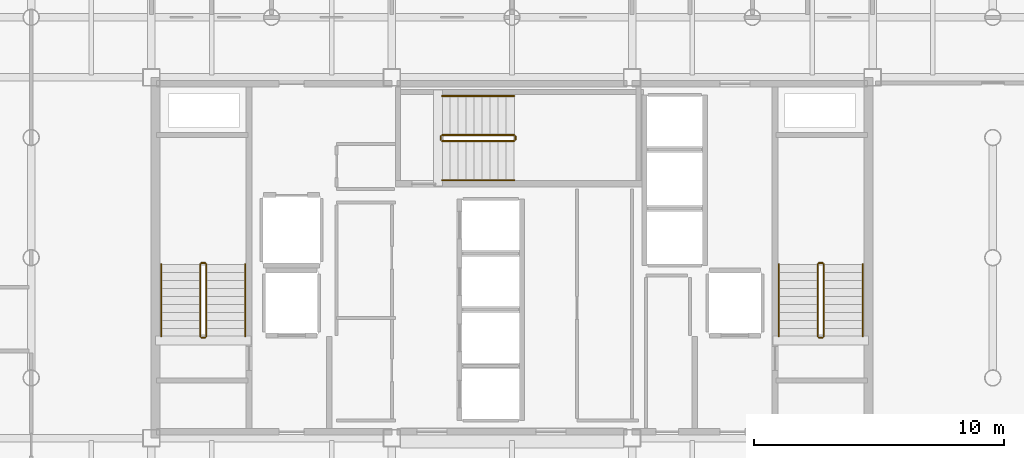
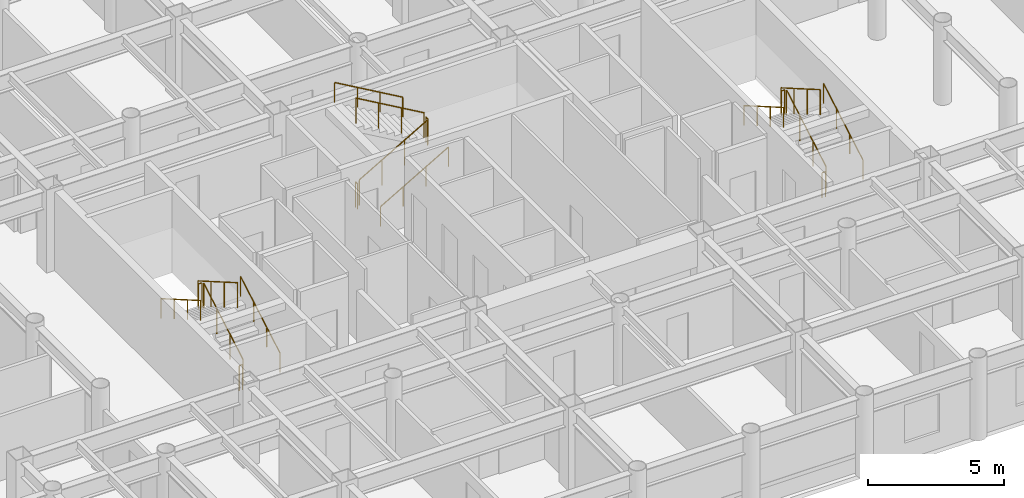
# One storey, part 20 of 20: 18 railings.
"""IFC4 building model written with IfcOpenShell, lengths in metres."""

import ifcopenshell
import ifcopenshell.guid

model = None  # the IFC model being written
_history = None  # IfcOwnerHistory: only IFC2X3 demands one
_inside = {}  # id of a spatial element -> (the spatial element, [elements in it])
_under = {}  # id of a project, library or spatial element -> (it, [spatial elements below it])
_declared = {}  # id of a project -> (the project, [libraries it declares])
_typed = {}  # id of a type object -> (the type object, [elements of that type])
_made_of = {}  # id of a material, layer set ... -> (it, [elements and type objects made of it])


def new_model(schema):
    """Start an empty IFC model of exactly this schema.

    Asked for "IFC4X3", IfcOpenShell would pick the latest addendum, in which some entities
    have other attributes; the version numbers below select the first issue.
    IFC2X3 requires an IfcOwnerHistory on every rooted entity: one is made here for all.
    """
    global model, _history
    if schema == "IFC4X3":
        model = ifcopenshell.file(schema_version=(4, 3, 0, 0))
    else:
        model = ifcopenshell.file(schema=schema)
    _inside.clear()
    _under.clear()
    _declared.clear()
    _typed.clear()
    _made_of.clear()
    _history = None
    if model.schema == "IFC2X3":
        org = make("IfcOrganization", Name="unknown")
        user = make(
            "IfcPersonAndOrganization",
            ThePerson=make("IfcPerson", FamilyName="unknown"),
            TheOrganization=org,
        )
        app = make(
            "IfcApplication",
            ApplicationDeveloper=org,
            Version="unknown",
            ApplicationFullName="unknown",
            ApplicationIdentifier="unknown",
        )
        _history = make(
            "IfcOwnerHistory",
            OwningUser=user,
            OwningApplication=app,
            ChangeAction="ADDED",
            CreationDate=0,
        )
    return model


def make(cls, **values):
    """One entity of the class cls with the attributes given. An attribute that is None is left unset."""
    return model.create_entity(
        cls, **{name: value for name, value in values.items() if value is not None}
    )


def rooted(cls, **values):
    """An entity with a GlobalId (a new one), such as an element, a storey or a relation."""
    return make(cls, GlobalId=ifcopenshell.guid.new(), OwnerHistory=_history, **values)


def si_unit(unit_type, name, prefix=None):
    """IfcSIUnit, for example si_unit("LENGTHUNIT", "METRE", prefix="MILLI")."""
    return make("IfcSIUnit", UnitType=unit_type, Prefix=prefix, Name=name)


def assignment(units):
    """IfcUnitAssignment: the units of a project."""
    return None if units is None else make("IfcUnitAssignment", Units=units)


def point(xyz):
    """IfcCartesianPoint."""
    return None if xyz is None else make("IfcCartesianPoint", Coordinates=xyz)


def direction(xyz):
    """IfcDirection."""
    return None if xyz is None else make("IfcDirection", DirectionRatios=xyz)


def frame(location, z_axis=None, x_axis=None):
    """IfcAxis2Placement3D, a coordinate frame: its origin and axes. An axis left out is left unset."""
    return make(
        "IfcAxis2Placement3D",
        Location=point(location),
        Axis=direction(z_axis),
        RefDirection=direction(x_axis),
    )


def frame_2d(location, x_axis=None):
    """IfcAxis2Placement2D, a coordinate frame in the plane: its origin and x axis."""
    return make(
        "IfcAxis2Placement2D", Location=point(location), RefDirection=direction(x_axis)
    )


def origin():
    """The frame at (0, 0, 0) with its axes left unset."""
    return frame((0.0, 0.0, 0.0))


def origin_2d():
    """The frame at (0, 0) in the plane with its x axis left unset."""
    return frame_2d((0.0, 0.0))


def place(relative_to, where):
    """IfcLocalPlacement: puts the frame where relative to a parent placement (None: the world)."""
    return make(
        "IfcLocalPlacement", PlacementRelTo=relative_to, RelativePlacement=where
    )


def context(
    kind, dimensions, precision=None, world=None, true_north=None, identifier=None
):
    """IfcGeometricRepresentationContext, for example the 3D "Model" context."""
    return make(
        "IfcGeometricRepresentationContext",
        ContextIdentifier=identifier,
        ContextType=kind,
        CoordinateSpaceDimension=dimensions,
        Precision=precision,
        WorldCoordinateSystem=world,
        TrueNorth=true_north,
    )


def subcontext(parent, identifier, kind, view, scale=None):
    """IfcGeometricRepresentationSubContext, for example "Body" below "Model"."""
    return make(
        "IfcGeometricRepresentationSubContext",
        ContextIdentifier=identifier,
        ContextType=kind,
        ParentContext=parent,
        TargetScale=scale,
        TargetView=view,
    )


def project(units=None, contexts=None):
    """IfcProject with its units and contexts."""
    return rooted(
        "IfcProject",
        Name="project",
        RepresentationContexts=contexts,
        UnitsInContext=assignment(units),
    )


def spatial(cls, under=None, at=None, **own):
    """A site, building, storey or space (cls), placed at a placement, below another one or the project."""
    s = rooted(cls, ObjectPlacement=at, **own)
    if under is not None:
        _under.setdefault(under.id(), (under, []))[1].append(s)
    return s


def profile(cls, at=None, kind="AREA", **sizes):
    """A parametric profile (cls). Its sizes go by their IFC names, for example OverallWidth=200.0."""
    return make(cls, ProfileType=kind, Position=at, **sizes)


def circle(**sizes):
    """IfcCircleProfileDef."""
    return profile("IfcCircleProfileDef", **sizes)


def extrude(swept, where, along, depth):
    """IfcExtrudedAreaSolid: the profile swept, set in the frame where, extruded along a direction by depth."""
    return make(
        "IfcExtrudedAreaSolid",
        SweptArea=swept,
        Position=where,
        ExtrudedDirection=direction(along),
        Depth=depth,
    )


def shape(context_of_items, identifier, shape_type, items):
    """IfcShapeRepresentation: the items that make up one representation, for example the "Body"."""
    return make(
        "IfcShapeRepresentation",
        ContextOfItems=context_of_items,
        RepresentationIdentifier=identifier,
        RepresentationType=shape_type,
        Items=items,
    )


def material(Name=None, Category=None):
    """IfcMaterial."""
    return make("IfcMaterial", Name=Name, Category=Category)


def layer(
    of_material, thickness, ventilated=None, Name=None, Category=None, Priority=None
):
    """IfcMaterialLayer: one layer of a wall or slab, of a material (None: an air gap)."""
    return make(
        "IfcMaterialLayer",
        Material=of_material,
        LayerThickness=thickness,
        IsVentilated=ventilated,
        Name=Name,
        Category=Category,
        Priority=Priority,
    )


def layer_set(layers, Name=None):
    """IfcMaterialLayerSet."""
    return make("IfcMaterialLayerSet", MaterialLayers=layers, LayerSetName=Name)


def made_of(thing, what):
    """Note that an element or type object is made of a material, layer set ...; save() writes the relation."""
    if what is not None:
        _made_of.setdefault(what.id(), (what, []))[1].append(thing)
    return thing


def type_object(cls, material=None, **own):
    """A type object (cls), such as IfcWallType, which elements share."""
    return made_of(rooted(cls, **own), material)


def element(
    cls,
    number,
    at=None,
    inside=None,
    cuts=None,
    type_object=None,
    material=None,
    context=None,
    identifier="Body",
    shape_type=None,
    held_by="IfcProductDefinitionShape",
    body=None,
    shapes=None,
    **own,
):
    """One element of the class cls, such as IfcWall. Its Tag is "e" and its number.

    at: its placement. inside: the storey or other place that contains it. cuts: it is an
    opening in that element (IfcRelVoidsElement). A single representation is given by context,
    identifier, shape_type and body (its items); several are given by shapes. held_by: the class
    of the entity that holds the representations. save() writes the other relations.
    """
    e = rooted(cls, Tag="e%d" % number, ObjectPlacement=at, **own)
    if body is not None:
        shapes = [shape(context, identifier, shape_type, body)]
    if shapes is not None:
        e.Representation = make(held_by, Representations=shapes)
    if inside is not None:
        _inside.setdefault(inside.id(), (inside, []))[1].append(e)
    if cuts is not None:
        rooted(
            "IfcRelVoidsElement", RelatingBuildingElement=cuts, RelatedOpeningElement=e
        )
    if type_object is not None:
        _typed.setdefault(type_object.id(), (type_object, []))[1].append(e)
    return made_of(e, material)


def aggregate(whole, parts):
    """IfcRelAggregates: a whole, such as a stair, and the parts it consists of."""
    return rooted("IfcRelAggregates", RelatingObject=whole, RelatedObjects=parts)


def save(model, path):
    """Write the relations noted so far, then the file.

    IfcRelAggregates (storeys below a building ...), IfcRelContainedInSpatialStructure (elements
    in a storey), IfcRelDefinesByType, IfcRelAssociatesMaterial and IfcRelDeclares: one each for
    every whole, place, type object, material and project.
    """
    for whole, parts in _under.values():
        aggregate(whole, parts)
    for where, things in _inside.values():
        rooted(
            "IfcRelContainedInSpatialStructure",
            RelatedElements=things,
            RelatingStructure=where,
        )
    for kind, things in _typed.values():
        rooted("IfcRelDefinesByType", RelatedObjects=things, RelatingType=kind)
    for what, things in _made_of.values():
        rooted("IfcRelAssociatesMaterial", RelatedObjects=things, RelatingMaterial=what)
    for by, libraries in _declared.values():
        rooted("IfcRelDeclares", RelatingContext=by, RelatedDefinitions=libraries)
    model.write(path)


model = new_model("IFC4")

# Units and contexts
model_context = context("Model", 3, precision=1e-05, world=origin(), true_north=direction((0.0, 1.0)))
body_context = subcontext(model_context, "Body", "Model", "MODEL_VIEW")
ifc_project = project(units=[si_unit("LENGTHUNIT", "METRE"), si_unit("AREAUNIT", "SQUARE_METRE"), si_unit("VOLUMEUNIT", "CUBIC_METRE"), si_unit("PLANEANGLEUNIT", "RADIAN"), si_unit("MASSUNIT", "GRAM", prefix="KILO")], contexts=[model_context])

# Site, building, storey
site_placement = place(None, origin())
site = spatial("IfcSite", under=ifc_project, at=site_placement, CompositionType="ELEMENT")
building_placement = place(site_placement, origin())
building = spatial("IfcBuilding", under=site, at=building_placement, Name="Kallvorn Hotel Tower", CompositionType="ELEMENT")
storey_placement = place(building_placement, frame((0.0, 0.0, 143.300048828125)))
storey = spatial("IfcBuildingStorey", under=building, at=storey_placement, Name="L35", CompositionType="ELEMENT", Elevation=143.300048828125)

# Railings
ifc_material_1 = material(Name="Brushed stainless-steel tubular railing", Category="steel")
ifc_layer_1 = layer(ifc_material_1, 0.050048828125)
ifc_layer_set_1 = layer_set([ifc_layer_1], Name="RL_STAIR_GUARD")
railing_type_1 = type_object("IfcRailingType", Name="RL_STAIR_GUARD", PredefinedType="GUARDRAIL", material=ifc_layer_set_1)
railing_1_placement = place(storey_placement, frame((-12.2099609375, -3.139892578125, 0.18505859375)))
element("IfcRailing", 1, at=railing_1_placement, inside=storey, type_object=railing_type_1, Name="L35 ST1 stair guard 1", PredefinedType="GUARDRAIL", context=body_context, shape_type="SweptSolid", body=[
    extrude(circle(Radius=0.02392578125, at=origin_2d()), frame((0.0, 0.0, 1.1259765625), z_axis=(0.0, 0.86575271903, 0.500472006703), x_axis=(-1.0, 0.0, 0.0)), (0.0, 0.0, 1.0), 3.326416015625),
    extrude(circle(Radius=0.02099609375, at=origin_2d()), origin(), (0.0, 0.0, 1.0), 1.101806640625),
    extrude(circle(Radius=0.02099609375, at=origin_2d()), frame((0.0, 0.9599609375, 0.554931640625)), (0.0, 0.0, 1.0), 1.101806640625),
    extrude(circle(Radius=0.02099609375, at=origin_2d()), frame((0.0, 1.919921875, 1.10986328125)), (0.0, 0.0, 1.0), 1.101806640625),
    extrude(circle(Radius=0.02099609375, at=origin_2d()), frame((0.0, 2.8798828125, 1.664794921875)), (0.0, 0.0, 1.0), 1.101806640625),
])
railing_2_placement = place(storey_placement, frame((-12.260009765625, -0.2099609375, 1.849853515625)))
element("IfcRailing", 2, at=railing_2_placement, inside=storey, type_object=railing_type_1, Name="L35 ST1 stair guard 2", PredefinedType="GUARDRAIL", context=body_context, shape_type="SweptSolid", body=[
    extrude(circle(Radius=0.02392578125, at=origin_2d()), frame((0.0, 0.0, 1.1259765625), z_axis=(-1.0, 0.0, 0.0), x_axis=(0.0, -1.0, 0.0)), (0.0, 0.0, 1.0), 0.139892578125),
    extrude(circle(Radius=0.02099609375, at=origin_2d()), origin(), (0.0, 0.0, 1.0), 1.101806640625),
    extrude(circle(Radius=0.02099609375, at=origin_2d()), frame((-0.139892578125, 0.0, 0.0)), (0.0, 0.0, 1.0), 1.101806640625),
])
railing_3_placement = place(storey_placement, frame((-12.449951171875, -0.260009765625, 2.034912109375)))
element("IfcRailing", 3, at=railing_3_placement, inside=storey, type_object=railing_type_1, Name="L35 ST1 stair guard 3", PredefinedType="GUARDRAIL", context=body_context, shape_type="SweptSolid", body=[
    extrude(circle(Radius=0.02392578125, at=origin_2d()), frame((0.0, 0.0, 1.1259765625), z_axis=(0.0, -0.865720918037, 0.500527014328), x_axis=(1.0, 0.0, 0.0)), (0.0, 0.0, 1.0), 3.32666015625),
    extrude(circle(Radius=0.02099609375, at=origin_2d()), origin(), (0.0, 0.0, 1.0), 1.101806640625),
    extrude(circle(Radius=0.02099609375, at=origin_2d()), frame((0.0, -0.9599609375, 0.554931640625)), (0.0, 0.0, 1.0), 1.101806640625),
    extrude(circle(Radius=0.02099609375, at=origin_2d()), frame((0.0, -1.919921875, 1.110107421875)), (0.0, 0.0, 1.0), 1.101806640625),
    extrude(circle(Radius=0.02099609375, at=origin_2d()), frame((0.0, -2.8798828125, 1.6650390625)), (0.0, 0.0, 1.0), 1.101806640625),
])
railing_4_placement = place(storey_placement, frame((-12.260009765625, -3.18994140625, 0.0)))
element("IfcRailing", 4, at=railing_4_placement, inside=storey, type_object=railing_type_1, Name="L35 ST1 stair guard 4", PredefinedType="GUARDRAIL", context=body_context, shape_type="SweptSolid", body=[
    extrude(circle(Radius=0.02392578125, at=origin_2d()), frame((0.0, 0.0, 1.1259765625), z_axis=(-1.0, 0.0, 0.0), x_axis=(0.0, -1.0, 0.0)), (0.0, 0.0, 1.0), 0.139892578125),
    extrude(circle(Radius=0.02099609375, at=origin_2d()), origin(), (0.0, 0.0, 1.0), 1.101806640625),
    extrude(circle(Radius=0.02099609375, at=origin_2d()), frame((-0.139892578125, 0.0, 0.0)), (0.0, 0.0, 1.0), 1.101806640625),
])
railing_5_placement = place(storey_placement, frame((12.449951171875, -3.139892578125, 0.18505859375)))
element("IfcRailing", 5, at=railing_5_placement, inside=storey, type_object=railing_type_1, Name="L35 ST2 stair guard 1", PredefinedType="GUARDRAIL", context=body_context, shape_type="SweptSolid", body=[
    extrude(circle(Radius=0.02392578125, at=origin_2d()), frame((0.0, 0.0, 1.1259765625), z_axis=(0.0, 0.86575271903, 0.500472006703), x_axis=(-1.0, 0.0, 0.0)), (0.0, 0.0, 1.0), 3.326416015625),
    extrude(circle(Radius=0.02099609375, at=origin_2d()), origin(), (0.0, 0.0, 1.0), 1.101806640625),
    extrude(circle(Radius=0.02099609375, at=origin_2d()), frame((0.0, 0.9599609375, 0.554931640625)), (0.0, 0.0, 1.0), 1.101806640625),
    extrude(circle(Radius=0.02099609375, at=origin_2d()), frame((0.0, 1.919921875, 1.10986328125)), (0.0, 0.0, 1.0), 1.101806640625),
    extrude(circle(Radius=0.02099609375, at=origin_2d()), frame((0.0, 2.8798828125, 1.664794921875)), (0.0, 0.0, 1.0), 1.101806640625),
])
railing_6_placement = place(storey_placement, frame((12.39990234375, -0.2099609375, 1.849853515625)))
element("IfcRailing", 6, at=railing_6_placement, inside=storey, type_object=railing_type_1, Name="L35 ST2 stair guard 2", PredefinedType="GUARDRAIL", context=body_context, shape_type="SweptSolid", body=[
    extrude(circle(Radius=0.02392578125, at=origin_2d()), frame((0.0, 0.0, 1.1259765625), z_axis=(-1.0, 0.0, 0.0), x_axis=(0.0, -1.0, 0.0)), (0.0, 0.0, 1.0), 0.139892578125),
    extrude(circle(Radius=0.02099609375, at=origin_2d()), origin(), (0.0, 0.0, 1.0), 1.101806640625),
    extrude(circle(Radius=0.02099609375, at=origin_2d()), frame((-0.139892578125, 0.0, 0.0)), (0.0, 0.0, 1.0), 1.101806640625),
])
railing_7_placement = place(storey_placement, frame((12.2099609375, -0.260009765625, 2.034912109375)))
element("IfcRailing", 7, at=railing_7_placement, inside=storey, type_object=railing_type_1, Name="L35 ST2 stair guard 3", PredefinedType="GUARDRAIL", context=body_context, shape_type="SweptSolid", body=[
    extrude(circle(Radius=0.02392578125, at=origin_2d()), frame((0.0, 0.0, 1.1259765625), z_axis=(0.0, -0.865720918037, 0.500527014328), x_axis=(1.0, 0.0, 0.0)), (0.0, 0.0, 1.0), 3.32666015625),
    extrude(circle(Radius=0.02099609375, at=origin_2d()), origin(), (0.0, 0.0, 1.0), 1.101806640625),
    extrude(circle(Radius=0.02099609375, at=origin_2d()), frame((0.0, -0.9599609375, 0.554931640625)), (0.0, 0.0, 1.0), 1.101806640625),
    extrude(circle(Radius=0.02099609375, at=origin_2d()), frame((0.0, -1.919921875, 1.110107421875)), (0.0, 0.0, 1.0), 1.101806640625),
    extrude(circle(Radius=0.02099609375, at=origin_2d()), frame((0.0, -2.8798828125, 1.6650390625)), (0.0, 0.0, 1.0), 1.101806640625),
])
railing_8_placement = place(storey_placement, frame((12.39990234375, -3.18994140625, 0.0)))
element("IfcRailing", 8, at=railing_8_placement, inside=storey, type_object=railing_type_1, Name="L35 ST2 stair guard 4", PredefinedType="GUARDRAIL", context=body_context, shape_type="SweptSolid", body=[
    extrude(circle(Radius=0.02392578125, at=origin_2d()), frame((0.0, 0.0, 1.1259765625), z_axis=(-1.0, 0.0, 0.0), x_axis=(0.0, -1.0, 0.0)), (0.0, 0.0, 1.0), 0.139892578125),
    extrude(circle(Radius=0.02099609375, at=origin_2d()), origin(), (0.0, 0.0, 1.0), 1.101806640625),
    extrude(circle(Radius=0.02099609375, at=origin_2d()), frame((-0.139892578125, 0.0, 0.0)), (0.0, 0.0, 1.0), 1.101806640625),
])
railing_9_placement = place(storey_placement, frame((-2.7900390625, 4.659912109375, 0.18505859375)))
element("IfcRailing", 9, at=railing_9_placement, inside=storey, type_object=railing_type_1, Name="L35 ST3 stair guard 1", PredefinedType="GUARDRAIL", context=body_context, shape_type="SweptSolid", body=[
    extrude(circle(Radius=0.02392578125, at=origin_2d()), frame((0.0, 0.0, 1.1259765625), z_axis=(0.865771100375, 0.0, 0.500440207973), x_axis=(0.0, 1.0, 0.0)), (0.0, 0.0, 1.0), 3.32666015625),
    extrude(circle(Radius=0.02099609375, at=origin_2d()), origin(), (0.0, 0.0, 1.0), 1.101806640625),
    extrude(circle(Radius=0.02099609375, at=origin_2d()), frame((0.9599609375, 0.0, 0.554931640625)), (0.0, 0.0, 1.0), 1.101806640625),
    extrude(circle(Radius=0.02099609375, at=origin_2d()), frame((1.920166015625, 0.0, 1.10986328125)), (0.0, 0.0, 1.0), 1.101806640625),
    extrude(circle(Radius=0.02099609375, at=origin_2d()), frame((2.880126953125, 0.0, 1.664794921875)), (0.0, 0.0, 1.0), 1.101806640625),
])
railing_10_placement = place(storey_placement, frame((0.139892578125, 4.7099609375, 1.849853515625)))
element("IfcRailing", 10, at=railing_10_placement, inside=storey, type_object=railing_type_1, Name="L35 ST3 stair guard 2", PredefinedType="GUARDRAIL", context=body_context, shape_type="SweptSolid", body=[
    extrude(circle(Radius=0.02392578125, at=origin_2d()), frame((0.0, 0.0, 1.1259765625), z_axis=(0.0, 1.0, 0.0), x_axis=(-1.0, 0.0, 0.0)), (0.0, 0.0, 1.0), 0.14013671875),
    extrude(circle(Radius=0.02099609375, at=origin_2d()), origin(), (0.0, 0.0, 1.0), 1.101806640625),
    extrude(circle(Radius=0.02099609375, at=origin_2d()), frame((0.0, 0.14013671875, 0.0)), (0.0, 0.0, 1.0), 1.101806640625),
])
railing_11_placement = place(storey_placement, frame((0.090087890625, 4.89990234375, 2.034912109375)))
element("IfcRailing", 11, at=railing_11_placement, inside=storey, type_object=railing_type_1, Name="L35 ST3 stair guard 3", PredefinedType="GUARDRAIL", context=body_context, shape_type="SweptSolid", body=[
    extrude(circle(Radius=0.02392578125, at=origin_2d()), frame((0.0, 0.0, 1.1259765625), z_axis=(-0.865739302748, 0.0, 0.50049521444), x_axis=(0.0, -1.0, 0.0)), (0.0, 0.0, 1.0), 3.326904296875),
    extrude(circle(Radius=0.02099609375, at=origin_2d()), origin(), (0.0, 0.0, 1.0), 1.101806640625),
    extrude(circle(Radius=0.02099609375, at=origin_2d()), frame((-0.9599609375, 0.0, 0.554931640625)), (0.0, 0.0, 1.0), 1.101806640625),
    extrude(circle(Radius=0.02099609375, at=origin_2d()), frame((-1.920166015625, 0.0, 1.110107421875)), (0.0, 0.0, 1.0), 1.101806640625),
    extrude(circle(Radius=0.02099609375, at=origin_2d()), frame((-2.880126953125, 0.0, 1.6650390625)), (0.0, 0.0, 1.0), 1.101806640625),
])
railing_12_placement = place(storey_placement, frame((-2.840087890625, 4.7099609375, 0.0)))
element("IfcRailing", 12, at=railing_12_placement, inside=storey, type_object=railing_type_1, Name="L35 ST3 stair guard 4", PredefinedType="GUARDRAIL", context=body_context, shape_type="SweptSolid", body=[
    extrude(circle(Radius=0.02392578125, at=origin_2d()), frame((0.0, 0.0, 1.1259765625), z_axis=(0.0, 1.0, 0.0), x_axis=(-1.0, 0.0, 0.0)), (0.0, 0.0, 1.0), 0.14013671875),
    extrude(circle(Radius=0.02099609375, at=origin_2d()), origin(), (0.0, 0.0, 1.0), 1.101806640625),
    extrude(circle(Radius=0.02099609375, at=origin_2d()), frame((0.0, 0.14013671875, 0.0)), (0.0, 0.0, 1.0), 1.101806640625),
])
ifc_material_2 = material(Name="Brushed stainless-steel tubular railing", Category="steel")
ifc_layer_2 = layer(ifc_material_2, 0.050048828125)
ifc_layer_set_2 = layer_set([ifc_layer_2], Name="RL_STAIR_HAND")
railing_type_2 = type_object("IfcRailingType", Name="RL_STAIR_HAND", PredefinedType="HANDRAIL", material=ifc_layer_set_2)
railing_13_placement = place(storey_placement, frame((-10.64990234375, -3.139892578125, 0.18505859375)))
element("IfcRailing", 13, at=railing_13_placement, inside=storey, type_object=railing_type_2, Name="L35 ST1 stair handrail 1", PredefinedType="HANDRAIL", context=body_context, shape_type="SweptSolid", body=[
    extrude(circle(Radius=0.02392578125, at=origin_2d()), frame((0.0, 0.0, 0.8759765625), z_axis=(0.0, 0.86575271903, 0.500472006703), x_axis=(-1.0, 0.0, 0.0)), (0.0, 0.0, 1.0), 3.326416015625),
    extrude(circle(Radius=0.02099609375, at=origin_2d()), origin(), (0.0, 0.0, 1.0), 0.851806640625),
    extrude(circle(Radius=0.02099609375, at=origin_2d()), frame((0.0, 0.9599609375, 0.554931640625)), (0.0, 0.0, 1.0), 0.851806640625),
    extrude(circle(Radius=0.02099609375, at=origin_2d()), frame((0.0, 1.919921875, 1.10986328125)), (0.0, 0.0, 1.0), 0.851806640625),
    extrude(circle(Radius=0.02099609375, at=origin_2d()), frame((0.0, 2.8798828125, 1.664794921875)), (0.0, 0.0, 1.0), 0.851806640625),
])
railing_14_placement = place(storey_placement, frame((-14.010009765625, -0.260009765625, 2.034912109375)))
element("IfcRailing", 14, at=railing_14_placement, inside=storey, type_object=railing_type_2, Name="L35 ST1 stair handrail 2", PredefinedType="HANDRAIL", context=body_context, shape_type="SweptSolid", body=[
    extrude(circle(Radius=0.02392578125, at=origin_2d()), frame((0.0, 0.0, 0.8759765625), z_axis=(0.0, -0.865720918037, 0.500527014328), x_axis=(1.0, 0.0, 0.0)), (0.0, 0.0, 1.0), 3.32666015625),
    extrude(circle(Radius=0.02099609375, at=origin_2d()), origin(), (0.0, 0.0, 1.0), 0.851806640625),
    extrude(circle(Radius=0.02099609375, at=origin_2d()), frame((0.0, -0.9599609375, 0.554931640625)), (0.0, 0.0, 1.0), 0.851806640625),
    extrude(circle(Radius=0.02099609375, at=origin_2d()), frame((0.0, -1.919921875, 1.110107421875)), (0.0, 0.0, 1.0), 0.851806640625),
    extrude(circle(Radius=0.02099609375, at=origin_2d()), frame((0.0, -2.8798828125, 1.6650390625)), (0.0, 0.0, 1.0), 0.851806640625),
])
railing_15_placement = place(storey_placement, frame((14.010009765625, -3.139892578125, 0.18505859375)))
element("IfcRailing", 15, at=railing_15_placement, inside=storey, type_object=railing_type_2, Name="L35 ST2 stair handrail 1", PredefinedType="HANDRAIL", context=body_context, shape_type="SweptSolid", body=[
    extrude(circle(Radius=0.02392578125, at=origin_2d()), frame((0.0, 0.0, 0.8759765625), z_axis=(0.0, 0.86575271903, 0.500472006703), x_axis=(-1.0, 0.0, 0.0)), (0.0, 0.0, 1.0), 3.326416015625),
    extrude(circle(Radius=0.02099609375, at=origin_2d()), origin(), (0.0, 0.0, 1.0), 0.851806640625),
    extrude(circle(Radius=0.02099609375, at=origin_2d()), frame((0.0, 0.9599609375, 0.554931640625)), (0.0, 0.0, 1.0), 0.851806640625),
    extrude(circle(Radius=0.02099609375, at=origin_2d()), frame((0.0, 1.919921875, 1.10986328125)), (0.0, 0.0, 1.0), 0.851806640625),
    extrude(circle(Radius=0.02099609375, at=origin_2d()), frame((0.0, 2.8798828125, 1.664794921875)), (0.0, 0.0, 1.0), 0.851806640625),
])
railing_16_placement = place(storey_placement, frame((10.64990234375, -0.260009765625, 2.034912109375)))
element("IfcRailing", 16, at=railing_16_placement, inside=storey, type_object=railing_type_2, Name="L35 ST2 stair handrail 2", PredefinedType="HANDRAIL", context=body_context, shape_type="SweptSolid", body=[
    extrude(circle(Radius=0.02392578125, at=origin_2d()), frame((0.0, 0.0, 0.8759765625), z_axis=(0.0, -0.865720918037, 0.500527014328), x_axis=(1.0, 0.0, 0.0)), (0.0, 0.0, 1.0), 3.32666015625),
    extrude(circle(Radius=0.02099609375, at=origin_2d()), origin(), (0.0, 0.0, 1.0), 0.851806640625),
    extrude(circle(Radius=0.02099609375, at=origin_2d()), frame((0.0, -0.9599609375, 0.554931640625)), (0.0, 0.0, 1.0), 0.851806640625),
    extrude(circle(Radius=0.02099609375, at=origin_2d()), frame((0.0, -1.919921875, 1.110107421875)), (0.0, 0.0, 1.0), 0.851806640625),
    extrude(circle(Radius=0.02099609375, at=origin_2d()), frame((0.0, -2.8798828125, 1.6650390625)), (0.0, 0.0, 1.0), 0.851806640625),
])
railing_17_placement = place(storey_placement, frame((-2.7900390625, 3.10009765625, 0.18505859375)))
element("IfcRailing", 17, at=railing_17_placement, inside=storey, type_object=railing_type_2, Name="L35 ST3 stair handrail 1", PredefinedType="HANDRAIL", context=body_context, shape_type="SweptSolid", body=[
    extrude(circle(Radius=0.02392578125, at=origin_2d()), frame((0.0, 0.0, 0.8759765625), z_axis=(0.865771100375, 0.0, 0.500440207973), x_axis=(0.0, 1.0, 0.0)), (0.0, 0.0, 1.0), 3.32666015625),
    extrude(circle(Radius=0.02099609375, at=origin_2d()), origin(), (0.0, 0.0, 1.0), 0.851806640625),
    extrude(circle(Radius=0.02099609375, at=origin_2d()), frame((0.9599609375, 0.0, 0.554931640625)), (0.0, 0.0, 1.0), 0.851806640625),
    extrude(circle(Radius=0.02099609375, at=origin_2d()), frame((1.920166015625, 0.0, 1.10986328125)), (0.0, 0.0, 1.0), 0.851806640625),
    extrude(circle(Radius=0.02099609375, at=origin_2d()), frame((2.880126953125, 0.0, 1.664794921875)), (0.0, 0.0, 1.0), 0.851806640625),
])
railing_18_placement = place(storey_placement, frame((0.090087890625, 6.4599609375, 2.034912109375)))
element("IfcRailing", 18, at=railing_18_placement, inside=storey, type_object=railing_type_2, Name="L35 ST3 stair handrail 2", PredefinedType="HANDRAIL", context=body_context, shape_type="SweptSolid", body=[
    extrude(circle(Radius=0.02392578125, at=origin_2d()), frame((0.0, 0.0, 0.8759765625), z_axis=(-0.865739302748, 0.0, 0.50049521444), x_axis=(0.0, -1.0, 0.0)), (0.0, 0.0, 1.0), 3.326904296875),
    extrude(circle(Radius=0.02099609375, at=origin_2d()), origin(), (0.0, 0.0, 1.0), 0.851806640625),
    extrude(circle(Radius=0.02099609375, at=origin_2d()), frame((-0.9599609375, 0.0, 0.554931640625)), (0.0, 0.0, 1.0), 0.851806640625),
    extrude(circle(Radius=0.02099609375, at=origin_2d()), frame((-1.920166015625, 0.0, 1.110107421875)), (0.0, 0.0, 1.0), 0.851806640625),
    extrude(circle(Radius=0.02099609375, at=origin_2d()), frame((-2.880126953125, 0.0, 1.6650390625)), (0.0, 0.0, 1.0), 0.851806640625),
])

save(model, "model.ifc")
